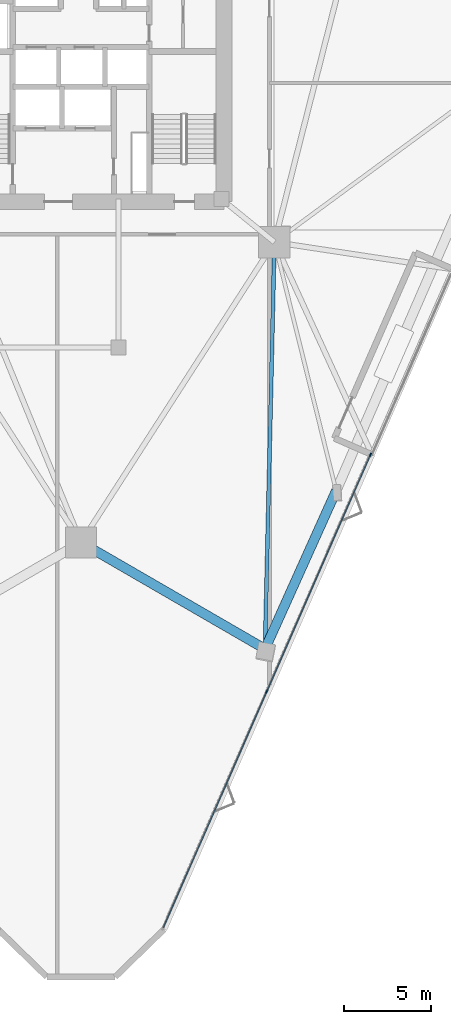
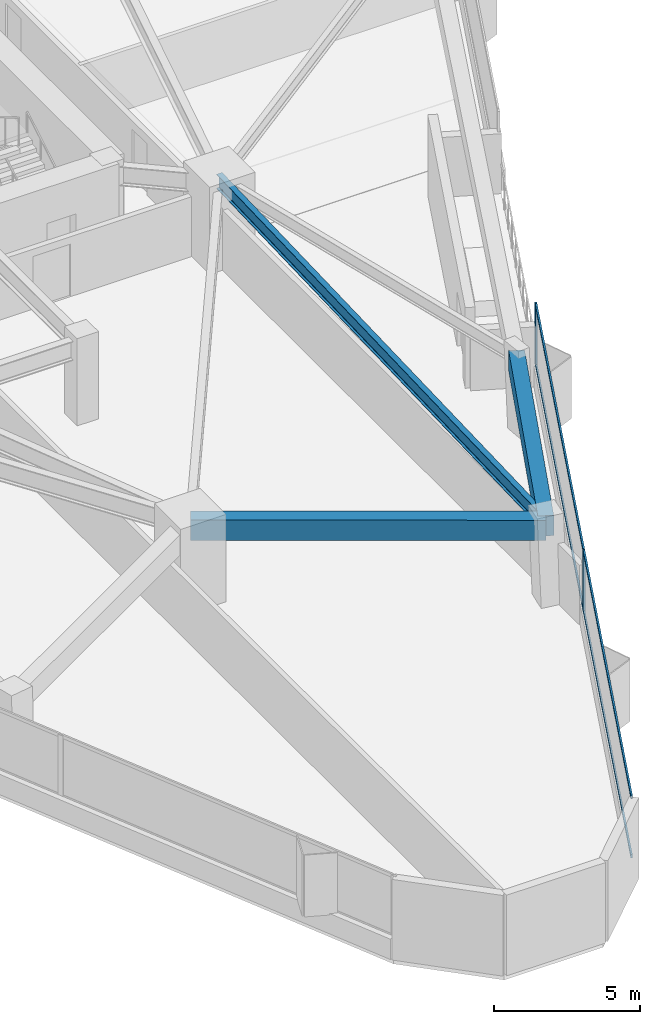
# One storey, part 3 of 16: 6 members, 3 beams, 1 element without a shape of its own.
"""IFC4 building model written with IfcOpenShell, lengths in metres."""

from ifc_helpers import new_model, si_unit, direction, frame, origin, origin_2d, place, context, subcontext, project, spatial, rectangle, i_section, extrude, material, layer, layer_set, material_profile, profile_set, type_object, element, aggregate, save


model = new_model("IFC4")

# Units and contexts
model_context = context("Model", 3, precision=1e-05, world=origin(), true_north=direction((0.0, 1.0)))
body_context = subcontext(model_context, "Body", "Model", "MODEL_VIEW")
ifc_project = project(units=[si_unit("LENGTHUNIT", "METRE"), si_unit("AREAUNIT", "SQUARE_METRE"), si_unit("VOLUMEUNIT", "CUBIC_METRE"), si_unit("PLANEANGLEUNIT", "RADIAN"), si_unit("MASSUNIT", "GRAM", prefix="KILO")], contexts=[model_context])

# Site, building, storey
site_placement = place(None, origin())
site = spatial("IfcSite", under=ifc_project, at=site_placement, CompositionType="ELEMENT")
building_placement = place(site_placement, origin())
building = spatial("IfcBuilding", under=site, at=building_placement, Name="Talyreon Biosciences Tower", CompositionType="ELEMENT")
storey_placement = place(building_placement, frame((0.0, 0.0, 44.699951171875)))
storey = spatial("IfcBuildingStorey", under=building, at=storey_placement, Name="L11", CompositionType="ELEMENT", Elevation=44.699951171875)

# Curtain wall, members
ifc_material_1 = material(Name="Thermally broken aluminium and low-E glazing", Category="aluminium")
ifc_layer = layer(ifc_material_1, 0.205078125)
ifc_layer_set = layer_set([ifc_layer], Name="Thermally broken aluminium and low-E glazing")
curtain_wall_type = type_object("IfcCurtainWallType", Name="CurtainWall_SkyGardenLoggia", PredefinedType="NOTDEFINED", material=ifc_layer_set)
curtain_wall_placement = place(storey_placement, origin())
curtain_wall = element("IfcCurtainWall", 1, at=curtain_wall_placement, inside=storey, type_object=curtain_wall_type, Name="L11 Unitised Curtain Wall FCW-L11-11", PredefinedType="NOTDEFINED")
ifc_material_2 = material(Name="Anodised thermally broken aluminium", Category="aluminium")
ifc_material_profile_1 = material_profile(ifc_material_2, rectangle(XDim=0.074951171875, YDim=0.2099609375, at=origin_2d()), Name="ALUM MULLION 75x210")
ifc_profile_set_1 = profile_set([ifc_material_profile_1], Name="Anodised thermally broken aluminium")
member_type_1 = type_object("IfcMemberType", Name="CWMullion_75x210", PredefinedType="MULLION", material=ifc_profile_set_1)
member_1_placement = place(storey_placement, frame((82.589111328125, 46.697265625, 0.81005859375), z_axis=(0.0, 0.0, 1.0), x_axis=(0.916035598289, -0.401096974143, 0.0)))
member_1 = element("IfcMember", 2, at=member_1_placement, type_object=member_type_1, Name="CW7 mullion 1", PredefinedType="MULLION", context=body_context, shape_type="SweptSolid", body=[
    extrude(rectangle(XDim=0.074951171875, YDim=0.2099609375, at=origin_2d()), origin(), (0.0, 0.0, 1.0), 2.56494140625),
])
member_2_placement = place(storey_placement, frame((76.647216796875, 33.126953125, 0.81005859375), z_axis=(0.0, 0.0, 1.0), x_axis=(0.916035598289, -0.401096974143, 0.0)))
member_2 = element("IfcMember", 3, at=member_2_placement, type_object=member_type_1, Name="CW7 mullion 2", PredefinedType="MULLION", context=body_context, shape_type="SweptSolid", body=[
    extrude(rectangle(XDim=0.074951171875, YDim=0.2099609375, at=origin_2d()), origin(), (0.0, 0.0, 1.0), 2.56494140625),
])
ifc_material_profile_2 = material_profile(ifc_material_2, rectangle(XDim=0.06494140625, YDim=0.139892578125, at=origin_2d()), Name="ALUM TRANSOM 65x140")
ifc_profile_set_2 = profile_set([ifc_material_profile_2], Name="Anodised thermally broken aluminium")
member_type_2 = type_object("IfcMemberType", Name="CWTransom_65x140", PredefinedType="USERDEFINED", material=ifc_profile_set_2)
member_3_placement = place(storey_placement, frame((82.573974609375, 46.6630859375, 0.842529296875), z_axis=(-0.401096003842, -0.916036023146, 0.0), x_axis=(0.916036023146, -0.401096003842, 0.0)))
member_3 = element("IfcMember", 4, at=member_3_placement, type_object=member_type_2, Name="CW7 transom 1.1", ObjectType="TRANSOM", PredefinedType="USERDEFINED", context=body_context, shape_type="SweptSolid", body=[
    extrude(rectangle(XDim=0.06494140625, YDim=0.139892578125, at=origin_2d()), origin(), (0.0, 0.0, 1.0), 14.7392578125),
])
member_4_placement = place(storey_placement, frame((82.573974609375, 46.6630859375, 3.342529296875), z_axis=(-0.401096003842, -0.916036023146, 0.0), x_axis=(0.916036023146, -0.401096003842, 0.0)))
member_4 = element("IfcMember", 5, at=member_4_placement, type_object=member_type_2, Name="CW7 transom 1.2", ObjectType="TRANSOM", PredefinedType="USERDEFINED", context=body_context, shape_type="SweptSolid", body=[
    extrude(rectangle(XDim=0.06494140625, YDim=0.139892578125, at=origin_2d()), origin(), (0.0, 0.0, 1.0), 14.7392578125),
])
member_5_placement = place(storey_placement, frame((76.632080078125, 33.092529296875, 0.842529296875), z_axis=(-0.401096003842, -0.916036023146, 0.0), x_axis=(0.916036023146, -0.401096003842, 0.0)))
member_5 = element("IfcMember", 6, at=member_5_placement, type_object=member_type_2, Name="CW7 transom 2.1", ObjectType="TRANSOM", PredefinedType="USERDEFINED", context=body_context, shape_type="SweptSolid", body=[
    extrude(rectangle(XDim=0.06494140625, YDim=0.139892578125, at=origin_2d()), origin(), (0.0, 0.0, 1.0), 14.7392578125),
])
member_6_placement = place(storey_placement, frame((76.632080078125, 33.092529296875, 3.342529296875), z_axis=(-0.401096003842, -0.916036023146, 0.0), x_axis=(0.916036023146, -0.401096003842, 0.0)))
member_6 = element("IfcMember", 7, at=member_6_placement, type_object=member_type_2, Name="CW7 transom 2.2", ObjectType="TRANSOM", PredefinedType="USERDEFINED", context=body_context, shape_type="SweptSolid", body=[
    extrude(rectangle(XDim=0.06494140625, YDim=0.139892578125, at=origin_2d()), origin(), (0.0, 0.0, 1.0), 14.7392578125),
])
aggregate(curtain_wall, [member_1, member_2, member_3, member_4, member_5, member_6])

# Beams
ifc_material_3 = material(Name="Precast concrete C45/55", Category="concrete")
ifc_material_profile_3 = material_profile(ifc_material_3, rectangle(XDim=0.550048828125, YDim=0.85009765625, at=origin_2d()), Name="RCB 550x850")
ifc_profile_set_3 = profile_set([ifc_material_profile_3], Name="Precast concrete C45/55")
beam_type_1 = type_object("IfcBeamType", Name="ExpressedSpandrel_550x850", PredefinedType="SPANDREL", material=ifc_profile_set_3)
beam_1_placement = place(storey_placement, frame((66.0, 41.6669921875, 2.949951171875), z_axis=(0.865435430404, -0.501020474434, 0.0), x_axis=(0.501020474434, 0.865435430404, 0.0)))
element("IfcBeam", 8, at=beam_1_placement, inside=storey, type_object=beam_type_1, Name="L11 Expressed Horizontal Concrete Spandrel 01", PredefinedType="SPANDREL", context=body_context, shape_type="SweptSolid", body=[
    extrude(rectangle(XDim=0.550048828125, YDim=0.85009765625, at=origin_2d()), origin(), (0.0, 0.0, 1.0), 12.18505859375),
])
beam_2_placement = place(storey_placement, frame((76.54541015625, 35.56201171875, 2.949951171875), z_axis=(0.410278903636, 0.911960098487, 0.0), x_axis=(-0.911960098487, 0.410278903636, 0.0)))
element("IfcBeam", 9, at=beam_2_placement, inside=storey, type_object=beam_type_1, Name="L11 Expressed Horizontal Concrete Spandrel 02", PredefinedType="SPANDREL", context=body_context, shape_type="SweptSolid", body=[
    extrude(rectangle(XDim=0.550048828125, YDim=0.85009765625, at=origin_2d()), origin(), (0.0, 0.0, 1.0), 9.941650390625),
])
ifc_material_4 = material(Name="Steel SM355", Category="steel")
ifc_material_profile_4 = material_profile(ifc_material_4, i_section(OverallWidth=0.219970703125, OverallDepth=0.60009765625, WebThickness=0.011962890625, FlangeThickness=0.01904296875, FilletRadius=0.02392578125, at=origin_2d()), Name="IPE600")
ifc_profile_set_4 = profile_set([ifc_material_profile_4], Name="Steel SM355")
beam_type_2 = type_object("IfcBeamType", Name="SteelJoist_IPE600", PredefinedType="JOIST", material=ifc_profile_set_4)
beam_3_placement = place(storey_placement, frame((77.086181640625, 58.88037109375, 3.074951171875), z_axis=(-0.023184569602, -0.99973120174, 0.0), x_axis=(0.99973120174, -0.023184569602, 0.0)))
element("IfcBeam", 10, at=beam_3_placement, inside=storey, type_object=beam_type_2, Name="L11 Radial Composite Floor Joist PC-SE1", PredefinedType="JOIST", context=body_context, shape_type="SweptSolid", body=[
    extrude(i_section(OverallWidth=0.219970703125, OverallDepth=0.60009765625, WebThickness=0.011962890625, FlangeThickness=0.01904296875, FilletRadius=0.02392578125, at=origin_2d()), origin(), (0.0, 0.0, 1.0), 23.32470703125),
])

save(model, "model.ifc")
